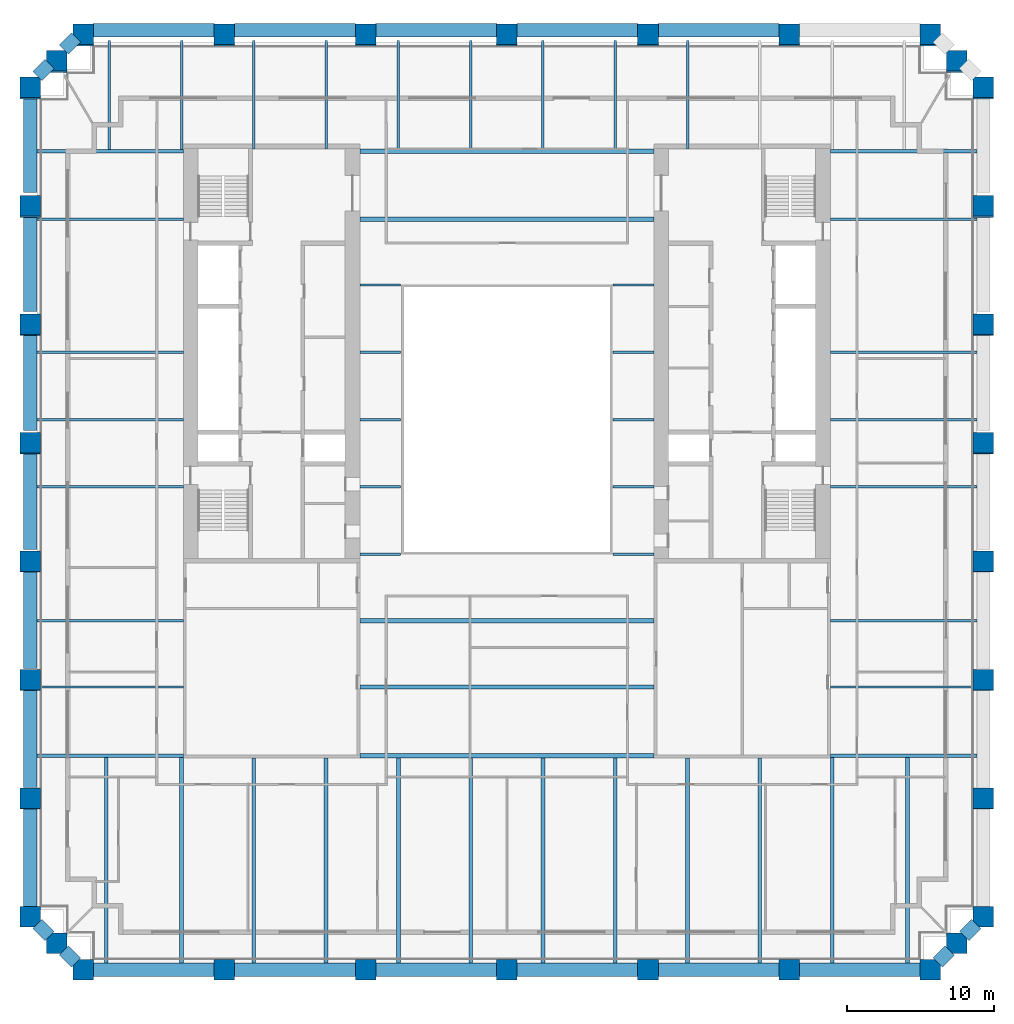
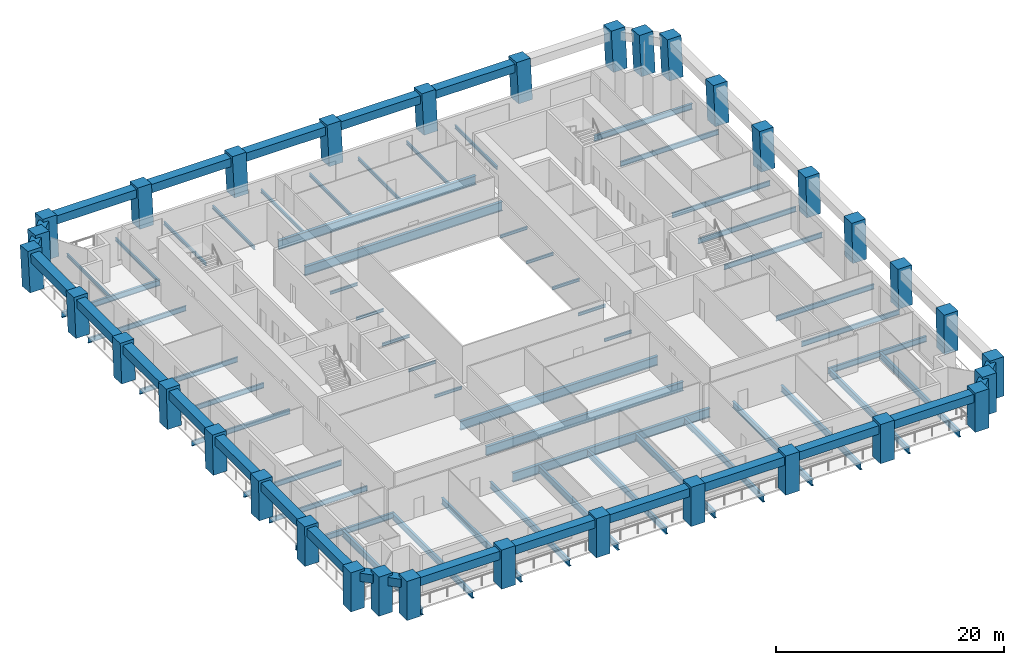
# One storey, part 1 of 10: 76 beams, 34 columns.
"""IFC4 building model written with IfcOpenShell, lengths in metres."""

from ifc_helpers import new_model, si_unit, direction, frame, origin, origin_2d, place, context, subcontext, project, spatial, rectangle, i_section, extrude, material, material_profile, profile_set, type_object, element, save


model = new_model("IFC4")

# Units and contexts
model_context = context("Model", 3, precision=1e-05, world=origin(), true_north=direction((0.0, 1.0)))
body_context = subcontext(model_context, "Body", "Model", "MODEL_VIEW")
ifc_project = project(units=[si_unit("LENGTHUNIT", "METRE"), si_unit("AREAUNIT", "SQUARE_METRE"), si_unit("VOLUMEUNIT", "CUBIC_METRE"), si_unit("PLANEANGLEUNIT", "RADIAN"), si_unit("MASSUNIT", "GRAM", prefix="KILO")], contexts=[model_context])

# Site, building, storey
site_placement = place(None, origin())
site = spatial("IfcSite", under=ifc_project, at=site_placement, CompositionType="ELEMENT")
building_placement = place(site_placement, origin())
building = spatial("IfcBuilding", under=site, at=building_placement, Name="Ogive Exchange Tower", CompositionType="ELEMENT")
storey_placement = place(building_placement, frame((0.0, 0.0, 52.199951171875)))
storey = spatial("IfcBuildingStorey", under=building, at=storey_placement, Name="L10", CompositionType="ELEMENT", Elevation=52.199951171875)

# Columns
ifc_material_1 = material(Name="Precast concrete C70/85 (limestone faced)", Category="masonry")
ifc_material_profile_1 = material_profile(ifc_material_1, rectangle(XDim=1.39990234375, YDim=1.39990234375, at=origin_2d()), Name="1400 x 1400")
ifc_profile_set_1 = profile_set([ifc_material_profile_1], Name="Precast concrete C70/85 (limestone faced)")
column_type = type_object("IfcColumnType", Name="Precast exoskeleton leg 1400 x 1400 C70/85", PredefinedType="COLUMN", material=ifc_profile_set_1)
for number, where, z_axis, x_axis, name in (
    (1, (-28.800048828125, -30.39990234375, 0.0), (0.0, 0.0, 1.0), (1.0, 0.0, 0.0), "Exoskeleton leg 1"),
    (2, (-19.199951171875, -30.39990234375, 0.0), (0.0, 0.0, 1.0), (1.0, 0.0, 0.0), "Exoskeleton leg 2"),
    (3, (-9.60009765625, -30.39990234375, 0.0), (0.0, 0.0, 1.0), (1.0, 0.0, 0.0), "Exoskeleton leg 3"),
    (4, (0.0, -30.39990234375, 0.0), (0.0, 0.0, 1.0), (1.0, 0.0, 0.0), "Exoskeleton leg 4"),
    (5, (9.60009765625, -30.39990234375, 0.0), (0.0, 0.0, 1.0), (1.0, 0.0, 0.0), "Exoskeleton leg 5"),
    (6, (19.199951171875, -30.39990234375, 0.0), (0.0, 0.0, 1.0), (1.0, 0.0, 0.0), "Exoskeleton leg 6"),
    (7, (28.800048828125, -30.39990234375, 0.0), (0.0, 0.0, 1.0), (1.0, 0.0, 0.0), "Exoskeleton leg 7"),
    (8, (32.39990234375, -26.800048828125, 0.0), (0.0, 0.0, 1.0), (1.0, 0.0, 0.0), "Exoskeleton leg 8"),
):
    element("IfcColumn", number, at=place(storey_placement, frame(where, z_axis=z_axis, x_axis=x_axis)), inside=storey, type_object=column_type, Name=name, PredefinedType="COLUMN", context=body_context, shape_type="SweptSolid", body=[
        extrude(rectangle(XDim=1.39990234375, YDim=1.39990234375, at=origin_2d()), origin(), (0.0, 0.0, 1.0), 4.199951171875),
    ])
column_1_placement = place(storey_placement, frame((32.39990234375, -18.75830078125, 0.0), z_axis=(0.0, 0.012961766342, 0.999915992778), x_axis=(-1.0, 0.0, 0.0)))
element("IfcColumn", 9, at=column_1_placement, inside=storey, type_object=column_type, Name="Exoskeleton leg 9", PredefinedType="COLUMN", context=body_context, shape_type="SweptSolid", body=[
    extrude(rectangle(XDim=1.39990234375, YDim=1.39990234375, at=origin_2d()), origin(), (0.0, 0.0, 1.0), 4.2001953125),
])
column_2_placement = place(storey_placement, frame((32.39990234375, -10.716796875, 0.0), z_axis=(0.0, 0.025917002136, 0.999664098085), x_axis=(-1.0, 0.0, 0.0)))
element("IfcColumn", 10, at=column_2_placement, inside=storey, type_object=column_type, Name="Exoskeleton leg 10", PredefinedType="COLUMN", context=body_context, shape_type="SweptSolid", body=[
    extrude(rectangle(XDim=1.39990234375, YDim=1.39990234375, at=origin_2d()), origin(), (0.0, 0.0, 1.0), 4.201416015625),
])
column_3_placement = place(storey_placement, frame((32.39990234375, -2.67529296875, 0.0), z_axis=(0.0, 0.038917190853, 0.999242439179), x_axis=(-1.0, 0.0, 0.0)))
element("IfcColumn", 11, at=column_3_placement, inside=storey, type_object=column_type, Name="Exoskeleton leg 11", PredefinedType="COLUMN", context=body_context, shape_type="SweptSolid", body=[
    extrude(rectangle(XDim=1.39990234375, YDim=1.39990234375, at=origin_2d()), origin(), (0.0, 0.0, 1.0), 4.203125),
])
column_4_placement = place(storey_placement, frame((32.39990234375, 5.3662109375, 0.0), z_axis=(0.0, 0.051897648879, 0.99865240902), x_axis=(-1.0, 0.0, 0.0)))
element("IfcColumn", 12, at=column_4_placement, inside=storey, type_object=column_type, Name="Exoskeleton leg 12", PredefinedType="COLUMN", context=body_context, shape_type="SweptSolid", body=[
    extrude(rectangle(XDim=1.39990234375, YDim=1.39990234375, at=origin_2d()), origin(), (0.0, 0.0, 1.0), 4.20556640625),
])
column_5_placement = place(storey_placement, frame((32.39990234375, 13.40771484375, 0.0), z_axis=(0.0, 0.064794093908, 0.997898654872), x_axis=(-1.0, 0.0, 0.0)))
element("IfcColumn", 13, at=column_5_placement, inside=storey, type_object=column_type, Name="Exoskeleton leg 13", PredefinedType="COLUMN", context=body_context, shape_type="SweptSolid", body=[
    extrude(rectangle(XDim=1.39990234375, YDim=1.39990234375, at=origin_2d()), origin(), (0.0, 0.0, 1.0), 4.208740234375),
])
column_6_placement = place(storey_placement, frame((32.39990234375, 21.449462890625, 0.0), z_axis=(0.0, 0.077658156178, 0.996980045326), x_axis=(-1.0, 0.0, 0.0)))
element("IfcColumn", 14, at=column_6_placement, inside=storey, type_object=column_type, Name="Exoskeleton leg 14", PredefinedType="COLUMN", context=body_context, shape_type="SweptSolid", body=[
    extrude(rectangle(XDim=1.39990234375, YDim=1.39990234375, at=origin_2d()), origin(), (0.0, 0.0, 1.0), 4.212646484375),
])
for number, where, z_axis, x_axis, name in (
    (15, (32.39990234375, 29.490966796875, 0.0), (0.0, 0.090540965689, 0.995892731941), (-1.0, 0.0, 0.0), "Exoskeleton leg 15"),
    (16, (28.800048828125, 33.0908203125, 0.0), (0.0, 0.090540965689, 0.995892731941), (-1.0, 0.0, 0.0), "Exoskeleton leg 16"),
    (17, (19.199951171875, 33.0908203125, 0.0), (0.0, 0.090540965689, 0.995892731941), (-1.0, 0.0, 0.0), "Exoskeleton leg 17"),
    (18, (9.60009765625, 33.0908203125, 0.0), (0.0, 0.090540965689, 0.995892731941), (-1.0, 0.0, 0.0), "Exoskeleton leg 18"),
    (19, (0.0, 33.0908203125, 0.0), (0.0, 0.090540965689, 0.995892731941), (-1.0, 0.0, 0.0), "Exoskeleton leg 19"),
    (20, (-9.60009765625, 33.0908203125, 0.0), (0.0, 0.090540965689, 0.995892731941), (-1.0, 0.0, 0.0), "Exoskeleton leg 20"),
    (21, (-19.199951171875, 33.0908203125, 0.0), (0.0, 0.090540965689, 0.995892731941), (-1.0, 0.0, 0.0), "Exoskeleton leg 21"),
    (22, (-28.800048828125, 33.0908203125, 0.0), (0.0, 0.090540965689, 0.995892731941), (-1.0, 0.0, 0.0), "Exoskeleton leg 22"),
    (23, (-32.39990234375, 29.490966796875, 0.0), (0.0, 0.090540965689, 0.995892731941), (-1.0, 0.0, 0.0), "Exoskeleton leg 23"),
):
    element("IfcColumn", number, at=place(storey_placement, frame(where, z_axis=z_axis, x_axis=x_axis)), inside=storey, type_object=column_type, Name=name, PredefinedType="COLUMN", context=body_context, shape_type="SweptSolid", body=[
        extrude(rectangle(XDim=1.39990234375, YDim=1.39990234375, at=origin_2d()), origin(), (0.0, 0.0, 1.0), 4.21728515625),
    ])
column_7_placement = place(storey_placement, frame((-32.39990234375, 21.449462890625, 0.0), z_axis=(0.0, 0.077658156178, 0.996980045326), x_axis=(-1.0, 0.0, 0.0)))
element("IfcColumn", 24, at=column_7_placement, inside=storey, type_object=column_type, Name="Exoskeleton leg 24", PredefinedType="COLUMN", context=body_context, shape_type="SweptSolid", body=[
    extrude(rectangle(XDim=1.39990234375, YDim=1.39990234375, at=origin_2d()), origin(), (0.0, 0.0, 1.0), 4.212646484375),
])
column_8_placement = place(storey_placement, frame((-32.39990234375, 13.40771484375, 0.0), z_axis=(0.0, 0.064794093908, 0.997898654872), x_axis=(-1.0, 0.0, 0.0)))
element("IfcColumn", 25, at=column_8_placement, inside=storey, type_object=column_type, Name="Exoskeleton leg 25", PredefinedType="COLUMN", context=body_context, shape_type="SweptSolid", body=[
    extrude(rectangle(XDim=1.39990234375, YDim=1.39990234375, at=origin_2d()), origin(), (0.0, 0.0, 1.0), 4.208740234375),
])
column_9_placement = place(storey_placement, frame((-32.39990234375, 5.3662109375, 0.0), z_axis=(0.0, 0.051897648879, 0.99865240902), x_axis=(-1.0, 0.0, 0.0)))
element("IfcColumn", 26, at=column_9_placement, inside=storey, type_object=column_type, Name="Exoskeleton leg 26", PredefinedType="COLUMN", context=body_context, shape_type="SweptSolid", body=[
    extrude(rectangle(XDim=1.39990234375, YDim=1.39990234375, at=origin_2d()), origin(), (0.0, 0.0, 1.0), 4.20556640625),
])
column_10_placement = place(storey_placement, frame((-32.39990234375, -2.67529296875, 0.0), z_axis=(0.0, 0.038917190853, 0.999242439179), x_axis=(-1.0, 0.0, 0.0)))
element("IfcColumn", 27, at=column_10_placement, inside=storey, type_object=column_type, Name="Exoskeleton leg 27", PredefinedType="COLUMN", context=body_context, shape_type="SweptSolid", body=[
    extrude(rectangle(XDim=1.39990234375, YDim=1.39990234375, at=origin_2d()), origin(), (0.0, 0.0, 1.0), 4.203125),
])
column_11_placement = place(storey_placement, frame((-32.39990234375, -10.716796875, 0.0), z_axis=(0.0, 0.025917002136, 0.999664098085), x_axis=(-1.0, 0.0, 0.0)))
element("IfcColumn", 28, at=column_11_placement, inside=storey, type_object=column_type, Name="Exoskeleton leg 28", PredefinedType="COLUMN", context=body_context, shape_type="SweptSolid", body=[
    extrude(rectangle(XDim=1.39990234375, YDim=1.39990234375, at=origin_2d()), origin(), (0.0, 0.0, 1.0), 4.201416015625),
])
column_12_placement = place(storey_placement, frame((-32.39990234375, -18.75830078125, 0.0), z_axis=(0.0, 0.012961766342, 0.999915992778), x_axis=(-1.0, 0.0, 0.0)))
element("IfcColumn", 29, at=column_12_placement, inside=storey, type_object=column_type, Name="Exoskeleton leg 29", PredefinedType="COLUMN", context=body_context, shape_type="SweptSolid", body=[
    extrude(rectangle(XDim=1.39990234375, YDim=1.39990234375, at=origin_2d()), origin(), (0.0, 0.0, 1.0), 4.2001953125),
])
for number, where, z_axis, x_axis, name in (
    (30, (-32.39990234375, -26.800048828125, 0.0), (0.0, 0.0, 1.0), (1.0, 0.0, 0.0), "Exoskeleton leg 30"),
    (31, (30.60009765625, -28.60009765625, 0.0), (0.0, 0.0, 1.0), (1.0, 0.0, 0.0), "Exoskeleton leg 31"),
):
    element("IfcColumn", number, at=place(storey_placement, frame(where, z_axis=z_axis, x_axis=x_axis)), inside=storey, type_object=column_type, Name=name, PredefinedType="COLUMN", context=body_context, shape_type="SweptSolid", body=[
        extrude(rectangle(XDim=1.39990234375, YDim=1.39990234375, at=origin_2d()), origin(), (0.0, 0.0, 1.0), 4.199951171875),
    ])
for number, where, z_axis, x_axis, name in (
    (32, (30.60009765625, 31.291015625, 0.0), (0.0, 0.090483549163, 0.995897950259), (-1.0, 0.0, 0.0), "Exoskeleton leg 32"),
    (33, (-30.60009765625, 31.291015625, 0.0), (0.0, 0.090483549163, 0.995897950259), (-1.0, 0.0, 0.0), "Exoskeleton leg 33"),
):
    element("IfcColumn", number, at=place(storey_placement, frame(where, z_axis=z_axis, x_axis=x_axis)), inside=storey, type_object=column_type, Name=name, PredefinedType="COLUMN", context=body_context, shape_type="SweptSolid", body=[
        extrude(rectangle(XDim=1.39990234375, YDim=1.39990234375, at=origin_2d()), origin(), (0.0, 0.0, 1.0), 4.21728515625),
    ])
column_13_placement = place(storey_placement, frame((-30.60009765625, -28.60009765625, 0.0), z_axis=(0.0, 0.0, 1.0), x_axis=(1.0, 0.0, 0.0)))
element("IfcColumn", 34, at=column_13_placement, inside=storey, type_object=column_type, Name="Exoskeleton leg 34", PredefinedType="COLUMN", context=body_context, shape_type="SweptSolid", body=[
    extrude(rectangle(XDim=1.39990234375, YDim=1.39990234375, at=origin_2d()), origin(), (0.0, 0.0, 1.0), 4.199951171875),
])

# Beams
ifc_material_2 = material(Name="Steel ASTM A992 Gr50", Category="steel")
ifc_material_profile_2 = material_profile(ifc_material_2, i_section(OverallWidth=0.300048828125, OverallDepth=0.969970703125, WebThickness=0.01611328125, FlangeThickness=0.02099609375, at=origin_2d()), Name="W1000x222")
ifc_profile_set_2 = profile_set([ifc_material_profile_2], Name="Steel ASTM A992 Gr50")
beam_type_1 = type_object("IfcBeamType", Name="Floor beam W1000x222", PredefinedType="JOIST", material=ifc_profile_set_2)
for number, where, z_axis, x_axis, name in (
    (35, (-10.0, -11.17822265625, -0.68505859375), (1.0, 0.0, 0.0), (0.0, 1.0, 0.0), "Floor beam"),
    (36, (-10.0, -6.666748046875, -0.68505859375), (1.0, 0.0, 0.0), (0.0, 1.0, 0.0), "Floor beam"),
    (37, (-10.0, 20.62255859375, -0.68505859375), (1.0, 0.0, 0.0), (0.0, 1.0, 0.0), "Floor beam"),
):
    element("IfcBeam", number, at=place(storey_placement, frame(where, z_axis=z_axis, x_axis=x_axis)), inside=storey, type_object=beam_type_1, Name=name, PredefinedType="JOIST", context=body_context, shape_type="SweptSolid", body=[
        extrude(i_section(OverallWidth=0.300048828125, OverallDepth=0.969970703125, WebThickness=0.01611328125, FlangeThickness=0.02099609375, at=origin_2d()), origin(), (0.0, 0.0, 1.0), 20.0),
    ])
ifc_material_profile_3 = material_profile(ifc_material_2, i_section(OverallWidth=0.1650390625, OverallDepth=0.31005859375, WebThickness=0.005859375, FlangeThickness=0.009765625, at=origin_2d()), Name="W310x38.7")
ifc_profile_set_3 = profile_set([ifc_material_profile_3], Name="Steel ASTM A992 Gr50")
beam_type_2 = type_object("IfcBeamType", Name="Floor beam W310x38.7", PredefinedType="JOIST", material=ifc_profile_set_3)
for number, where, z_axis, x_axis, name in (
    (38, (-10.0, 2.422607421875, -0.35498046875), (1.0, 0.0, 0.0), (0.0, 1.0, 0.0), "Floor beam"),
    (39, (7.219970703125, 2.422607421875, -0.35498046875), (1.0, 0.0, 0.0), (0.0, 1.0, 0.0), "Floor beam"),
    (40, (-10.0, 7.0, -0.35498046875), (1.0, 0.0, 0.0), (0.0, 1.0, 0.0), "Floor beam"),
    (41, (7.219970703125, 7.0, -0.35498046875), (1.0, 0.0, 0.0), (0.0, 1.0, 0.0), "Floor beam"),
    (42, (-10.0, 11.577392578125, -0.35498046875), (1.0, 0.0, 0.0), (0.0, 1.0, 0.0), "Floor beam"),
    (43, (7.219970703125, 11.577392578125, -0.35498046875), (1.0, 0.0, 0.0), (0.0, 1.0, 0.0), "Floor beam"),
):
    element("IfcBeam", number, at=place(storey_placement, frame(where, z_axis=z_axis, x_axis=x_axis)), inside=storey, type_object=beam_type_2, Name=name, PredefinedType="JOIST", context=body_context, shape_type="SweptSolid", body=[
        extrude(i_section(OverallWidth=0.1650390625, OverallDepth=0.31005859375, WebThickness=0.005859375, FlangeThickness=0.009765625, at=origin_2d()), origin(), (0.0, 0.0, 1.0), 2.780029296875),
    ])
ifc_material_profile_4 = material_profile(ifc_material_2, i_section(OverallWidth=0.1708984375, OverallDepth=0.35595703125, WebThickness=0.00732421875, FlangeThickness=0.01171875, at=origin_2d()), Name="W360x51")
ifc_profile_set_4 = profile_set([ifc_material_profile_4], Name="Steel ASTM A992 Gr50")
beam_type_3 = type_object("IfcBeamType", Name="Floor beam W360x51", PredefinedType="JOIST", material=ifc_profile_set_4)
for number, where, z_axis, x_axis, name in (
    (44, (-27.03466796875, 25.35888671875, -0.3779296875), (0.0, 1.0, 0.0), (-1.0, 0.0, 0.0), "Floor beam"),
    (45, (-22.119140625, 25.35888671875, -0.3779296875), (0.0, 1.0, 0.0), (-1.0, 0.0, 0.0), "Floor beam"),
):
    element("IfcBeam", number, at=place(storey_placement, frame(where, z_axis=z_axis, x_axis=x_axis)), inside=storey, type_object=beam_type_3, Name=name, PredefinedType="JOIST", context=body_context, shape_type="SweptSolid", body=[
        extrude(i_section(OverallWidth=0.1708984375, OverallDepth=0.35595703125, WebThickness=0.00732421875, FlangeThickness=0.01171875, at=origin_2d()), origin(), (0.0, 0.0, 1.0), 7.43212890625),
    ])
for number, where, z_axis, x_axis, name in (
    (46, (-17.203857421875, 25.39990234375, -0.3779296875), (0.0, 1.0, 0.0), (-1.0, 0.0, 0.0), "Floor beam"),
    (47, (-12.28857421875, 25.39990234375, -0.3779296875), (0.0, 1.0, 0.0), (-1.0, 0.0, 0.0), "Floor beam"),
):
    element("IfcBeam", number, at=place(storey_placement, frame(where, z_axis=z_axis, x_axis=x_axis)), inside=storey, type_object=beam_type_3, Name=name, PredefinedType="JOIST", context=body_context, shape_type="SweptSolid", body=[
        extrude(i_section(OverallWidth=0.1708984375, OverallDepth=0.35595703125, WebThickness=0.00732421875, FlangeThickness=0.01171875, at=origin_2d()), origin(), (0.0, 0.0, 1.0), 7.39111328125),
    ])
for number, where, z_axis, x_axis, name in (
    (48, (-7.373046875, 25.39501953125, -0.3779296875), (0.0, 1.0, 0.0), (-1.0, 0.0, 0.0), "Floor beam"),
    (49, (-2.457763671875, 25.39501953125, -0.3779296875), (0.0, 1.0, 0.0), (-1.0, 0.0, 0.0), "Floor beam"),
    (50, (2.457763671875, 25.39501953125, -0.3779296875), (0.0, 1.0, 0.0), (-1.0, 0.0, 0.0), "Floor beam"),
    (51, (7.373046875, 25.39501953125, -0.3779296875), (0.0, 1.0, 0.0), (-1.0, 0.0, 0.0), "Floor beam"),
):
    element("IfcBeam", number, at=place(storey_placement, frame(where, z_axis=z_axis, x_axis=x_axis)), inside=storey, type_object=beam_type_3, Name=name, PredefinedType="JOIST", context=body_context, shape_type="SweptSolid", body=[
        extrude(i_section(OverallWidth=0.1708984375, OverallDepth=0.35595703125, WebThickness=0.00732421875, FlangeThickness=0.01171875, at=origin_2d()), origin(), (0.0, 0.0, 1.0), 7.39599609375),
    ])
beam_1_placement = place(storey_placement, frame((12.28857421875, 25.39990234375, -0.3779296875), z_axis=(0.0, 1.0, 0.0), x_axis=(-1.0, 0.0, 0.0)))
element("IfcBeam", 52, at=beam_1_placement, inside=storey, type_object=beam_type_3, Name="Floor beam", PredefinedType="JOIST", context=body_context, shape_type="SweptSolid", body=[
    extrude(i_section(OverallWidth=0.1708984375, OverallDepth=0.35595703125, WebThickness=0.00732421875, FlangeThickness=0.01171875, at=origin_2d()), origin(), (0.0, 0.0, 1.0), 7.39111328125),
])
ifc_material_profile_5 = material_profile(ifc_material_2, i_section(OverallWidth=0.1669921875, OverallDepth=0.535888671875, WebThickness=0.01025390625, FlangeThickness=0.0166015625, at=origin_2d()), Name="W530x85")
ifc_profile_set_5 = profile_set([ifc_material_profile_5], Name="Steel ASTM A992 Gr50")
beam_type_4 = type_object("IfcBeamType", Name="Floor beam W530x85", PredefinedType="JOIST", material=ifc_profile_set_5)
for number, where, z_axis, x_axis, name in (
    (53, (-31.949951171875, -11.17822265625, -0.468017578125), (1.0, 0.0, 0.0), (0.0, 1.0, 0.0), "Floor beam"),
    (54, (22.0, -11.17822265625, -0.468017578125), (1.0, 0.0, 0.0), (0.0, 1.0, 0.0), "Floor beam"),
    (55, (-31.949951171875, -6.666748046875, -0.468017578125), (1.0, 0.0, 0.0), (0.0, 1.0, 0.0), "Floor beam"),
    (56, (22.0, -6.666748046875, -0.468017578125), (1.0, 0.0, 0.0), (0.0, 1.0, 0.0), "Floor beam"),
    (57, (-31.949951171875, 2.422607421875, -0.468017578125), (1.0, 0.0, 0.0), (0.0, 1.0, 0.0), "Floor beam"),
    (58, (22.0, 2.422607421875, -0.468017578125), (1.0, 0.0, 0.0), (0.0, 1.0, 0.0), "Floor beam"),
    (59, (-31.949951171875, 7.0, -0.468017578125), (1.0, 0.0, 0.0), (0.0, 1.0, 0.0), "Floor beam"),
    (60, (22.0, 7.0, -0.468017578125), (1.0, 0.0, 0.0), (0.0, 1.0, 0.0), "Floor beam"),
    (61, (-31.949951171875, 11.577392578125, -0.468017578125), (1.0, 0.0, 0.0), (0.0, 1.0, 0.0), "Floor beam"),
    (62, (22.0, 11.577392578125, -0.468017578125), (1.0, 0.0, 0.0), (0.0, 1.0, 0.0), "Floor beam"),
    (63, (-31.949951171875, 20.62255859375, -0.468017578125), (1.0, 0.0, 0.0), (0.0, 1.0, 0.0), "Floor beam"),
    (64, (22.0, 20.62255859375, -0.468017578125), (1.0, 0.0, 0.0), (0.0, 1.0, 0.0), "Floor beam"),
):
    element("IfcBeam", number, at=place(storey_placement, frame(where, z_axis=z_axis, x_axis=x_axis)), inside=storey, type_object=beam_type_4, Name=name, PredefinedType="JOIST", context=body_context, shape_type="SweptSolid", body=[
        extrude(i_section(OverallWidth=0.1669921875, OverallDepth=0.535888671875, WebThickness=0.01025390625, FlangeThickness=0.0166015625, at=origin_2d()), origin(), (0.0, 0.0, 1.0), 9.949951171875),
    ])
ifc_material_profile_6 = material_profile(ifc_material_2, i_section(OverallWidth=0.25390625, OverallDepth=0.677978515625, WebThickness=0.01171875, FlangeThickness=0.016357421875, at=origin_2d()), Name="W690x125")
ifc_profile_set_6 = profile_set([ifc_material_profile_6], Name="Steel ASTM A992 Gr50")
beam_type_5 = type_object("IfcBeamType", Name="Floor beam W690x125", PredefinedType="JOIST", material=ifc_profile_set_6)
for number, where, z_axis, x_axis, name in (
    (65, (-27.234619140625, -29.949951171875, -0.5390625), (0.0, 1.0, 0.0), (-1.0, 0.0, 0.0), "Floor beam"),
    (66, (-22.119140625, -29.949951171875, -0.5390625), (0.0, 1.0, 0.0), (-1.0, 0.0, 0.0), "Floor beam"),
):
    element("IfcBeam", number, at=place(storey_placement, frame(where, z_axis=z_axis, x_axis=x_axis)), inside=storey, type_object=beam_type_5, Name=name, PredefinedType="JOIST", context=body_context, shape_type="SweptSolid", body=[
        extrude(i_section(OverallWidth=0.25390625, OverallDepth=0.677978515625, WebThickness=0.01171875, FlangeThickness=0.016357421875, at=origin_2d()), origin(), (0.0, 0.0, 1.0), 13.990966796875),
    ])
for number, where, z_axis, x_axis, name in (
    (67, (-17.203857421875, -29.949951171875, -0.5390625), (0.0, 1.0, 0.0), (-1.0, 0.0, 0.0), "Floor beam"),
    (68, (-12.28857421875, -29.949951171875, -0.5390625), (0.0, 1.0, 0.0), (-1.0, 0.0, 0.0), "Floor beam"),
):
    element("IfcBeam", number, at=place(storey_placement, frame(where, z_axis=z_axis, x_axis=x_axis)), inside=storey, type_object=beam_type_5, Name=name, PredefinedType="JOIST", context=body_context, shape_type="SweptSolid", body=[
        extrude(i_section(OverallWidth=0.25390625, OverallDepth=0.677978515625, WebThickness=0.01171875, FlangeThickness=0.016357421875, at=origin_2d()), origin(), (0.0, 0.0, 1.0), 13.949951171875),
    ])
for number, where, z_axis, x_axis, name in (
    (69, (-7.373046875, -29.949951171875, -0.5390625), (0.0, 1.0, 0.0), (-1.0, 0.0, 0.0), "Floor beam"),
    (70, (-2.457763671875, -29.949951171875, -0.5390625), (0.0, 1.0, 0.0), (-1.0, 0.0, 0.0), "Floor beam"),
    (71, (2.457763671875, -29.949951171875, -0.5390625), (0.0, 1.0, 0.0), (-1.0, 0.0, 0.0), "Floor beam"),
    (72, (7.373046875, -29.949951171875, -0.5390625), (0.0, 1.0, 0.0), (-1.0, 0.0, 0.0), "Floor beam"),
):
    element("IfcBeam", number, at=place(storey_placement, frame(where, z_axis=z_axis, x_axis=x_axis)), inside=storey, type_object=beam_type_5, Name=name, PredefinedType="JOIST", context=body_context, shape_type="SweptSolid", body=[
        extrude(i_section(OverallWidth=0.25390625, OverallDepth=0.677978515625, WebThickness=0.01171875, FlangeThickness=0.016357421875, at=origin_2d()), origin(), (0.0, 0.0, 1.0), 13.954833984375),
    ])
for number, where, z_axis, x_axis, name in (
    (73, (12.28857421875, -29.949951171875, -0.5390625), (0.0, 1.0, 0.0), (-1.0, 0.0, 0.0), "Floor beam"),
    (74, (17.203857421875, -29.949951171875, -0.5390625), (0.0, 1.0, 0.0), (-1.0, 0.0, 0.0), "Floor beam"),
):
    element("IfcBeam", number, at=place(storey_placement, frame(where, z_axis=z_axis, x_axis=x_axis)), inside=storey, type_object=beam_type_5, Name=name, PredefinedType="JOIST", context=body_context, shape_type="SweptSolid", body=[
        extrude(i_section(OverallWidth=0.25390625, OverallDepth=0.677978515625, WebThickness=0.01171875, FlangeThickness=0.016357421875, at=origin_2d()), origin(), (0.0, 0.0, 1.0), 13.949951171875),
    ])
for number, where, z_axis, x_axis, name in (
    (75, (22.119140625, -29.949951171875, -0.5390625), (0.0, 1.0, 0.0), (-1.0, 0.0, 0.0), "Floor beam"),
    (76, (27.234619140625, -29.949951171875, -0.5390625), (0.0, 1.0, 0.0), (-1.0, 0.0, 0.0), "Floor beam"),
):
    element("IfcBeam", number, at=place(storey_placement, frame(where, z_axis=z_axis, x_axis=x_axis)), inside=storey, type_object=beam_type_5, Name=name, PredefinedType="JOIST", context=body_context, shape_type="SweptSolid", body=[
        extrude(i_section(OverallWidth=0.25390625, OverallDepth=0.677978515625, WebThickness=0.01171875, FlangeThickness=0.016357421875, at=origin_2d()), origin(), (0.0, 0.0, 1.0), 13.990966796875),
    ])
ifc_material_profile_7 = material_profile(ifc_material_2, i_section(OverallWidth=0.300048828125, OverallDepth=0.97998046875, WebThickness=0.0166015625, FlangeThickness=0.026123046875, at=origin_2d()), Name="W1000x249")
ifc_profile_set_7 = profile_set([ifc_material_profile_7], Name="Steel ASTM A992 Gr50")
beam_type_6 = type_object("IfcBeamType", Name="Girder W1000x249", PredefinedType="BEAM", material=ifc_profile_set_7)
for number, where, z_axis, x_axis, name in (
    (77, (-10.0, -15.844970703125, -0.68994140625), (1.0, 0.0, 0.0), (0.0, 1.0, 0.0), "Header girder"),
    (78, (-10.0, 25.2451171875, -0.68994140625), (1.0, 0.0, 0.0), (0.0, 1.0, 0.0), "Header girder"),
):
    element("IfcBeam", number, at=place(storey_placement, frame(where, z_axis=z_axis, x_axis=x_axis)), inside=storey, type_object=beam_type_6, Name=name, PredefinedType="BEAM", context=body_context, shape_type="SweptSolid", body=[
        extrude(i_section(OverallWidth=0.300048828125, OverallDepth=0.97998046875, WebThickness=0.0166015625, FlangeThickness=0.026123046875, at=origin_2d()), origin(), (0.0, 0.0, 1.0), 20.0),
    ])
ifc_material_profile_8 = material_profile(ifc_material_2, i_section(OverallWidth=0.1650390625, OverallDepth=0.31005859375, WebThickness=0.005859375, FlangeThickness=0.009765625, at=origin_2d()), Name="W310x38.7")
ifc_profile_set_8 = profile_set([ifc_material_profile_8], Name="Steel ASTM A992 Gr50")
beam_type_7 = type_object("IfcBeamType", Name="Girder W310x38.7", PredefinedType="BEAM", material=ifc_profile_set_8)
for number, where, z_axis, x_axis, name in (
    (79, (-10.0, -2.155029296875, -0.35498046875), (1.0, 0.0, 0.0), (0.0, 1.0, 0.0), "Trimmer girder"),
    (80, (7.219970703125, -2.155029296875, -0.35498046875), (1.0, 0.0, 0.0), (0.0, 1.0, 0.0), "Trimmer girder"),
    (81, (-10.0, 16.155029296875, -0.35498046875), (1.0, 0.0, 0.0), (0.0, 1.0, 0.0), "Trimmer girder"),
    (82, (7.219970703125, 16.155029296875, -0.35498046875), (1.0, 0.0, 0.0), (0.0, 1.0, 0.0), "Trimmer girder"),
):
    element("IfcBeam", number, at=place(storey_placement, frame(where, z_axis=z_axis, x_axis=x_axis)), inside=storey, type_object=beam_type_7, Name=name, PredefinedType="BEAM", context=body_context, shape_type="SweptSolid", body=[
        extrude(i_section(OverallWidth=0.1650390625, OverallDepth=0.31005859375, WebThickness=0.005859375, FlangeThickness=0.009765625, at=origin_2d()), origin(), (0.0, 0.0, 1.0), 2.780029296875),
    ])
ifc_material_profile_9 = material_profile(ifc_material_2, i_section(OverallWidth=0.22802734375, OverallDepth=0.60205078125, WebThickness=0.010498046875, FlangeThickness=0.014892578125, at=origin_2d()), Name="W610x101")
ifc_profile_set_9 = profile_set([ifc_material_profile_9], Name="Steel ASTM A992 Gr50")
beam_type_8 = type_object("IfcBeamType", Name="Girder W610x101", PredefinedType="BEAM", material=ifc_profile_set_9)
for number, where, z_axis, x_axis, name in (
    (83, (-31.949951171875, -15.844970703125, -0.5009765625), (1.0, 0.0, 0.0), (0.0, 1.0, 0.0), "Header girder"),
    (84, (22.0, -15.844970703125, -0.5009765625), (1.0, 0.0, 0.0), (0.0, 1.0, 0.0), "Header girder"),
    (85, (-31.949951171875, 25.2451171875, -0.5009765625), (1.0, 0.0, 0.0), (0.0, 1.0, 0.0), "Header girder"),
    (86, (22.0, 25.2451171875, -0.5009765625), (1.0, 0.0, 0.0), (0.0, 1.0, 0.0), "Header girder"),
):
    element("IfcBeam", number, at=place(storey_placement, frame(where, z_axis=z_axis, x_axis=x_axis)), inside=storey, type_object=beam_type_8, Name=name, PredefinedType="BEAM", context=body_context, shape_type="SweptSolid", body=[
        extrude(i_section(OverallWidth=0.22802734375, OverallDepth=0.60205078125, WebThickness=0.010498046875, FlangeThickness=0.014892578125, at=origin_2d()), origin(), (0.0, 0.0, 1.0), 9.949951171875),
    ])
ifc_material_profile_10 = material_profile(ifc_material_1, rectangle(XDim=0.89990234375, YDim=0.89990234375, at=origin_2d()), Name="900 x 900")
ifc_profile_set_10 = profile_set([ifc_material_profile_10], Name="Precast concrete C70/85 (limestone faced)")
beam_type_9 = type_object("IfcBeamType", Name="Precast spandrel 900 x 900 C70/85", PredefinedType="SPANDREL", material=ifc_profile_set_10)
beam_2_placement = place(storey_placement, frame((-28.1201171875, -30.39990234375, 3.5), z_axis=(1.0, 0.0, 0.0), x_axis=(0.0, 1.0, 0.0)))
element("IfcBeam", 87, at=beam_2_placement, inside=storey, type_object=beam_type_9, Name="Spandrel 1", PredefinedType="SPANDREL", context=body_context, shape_type="SweptSolid", body=[
    extrude(rectangle(XDim=0.89990234375, YDim=0.89990234375, at=origin_2d()), origin(), (0.0, 0.0, 1.0), 8.240234375),
])
for number, where, z_axis, x_axis, name in (
    (88, (-18.52001953125, -30.39990234375, 3.5), (1.0, 0.0, 0.0), (0.0, 1.0, 0.0), "Spandrel 2"),
    (89, (-8.919921875, -30.39990234375, 3.5), (1.0, 0.0, 0.0), (0.0, 1.0, 0.0), "Spandrel 3"),
    (90, (0.679931640625, -30.39990234375, 3.5), (1.0, 0.0, 0.0), (0.0, 1.0, 0.0), "Spandrel 4"),
    (91, (10.280029296875, -30.39990234375, 3.5), (1.0, 0.0, 0.0), (0.0, 1.0, 0.0), "Spandrel 5"),
):
    element("IfcBeam", number, at=place(storey_placement, frame(where, z_axis=z_axis, x_axis=x_axis)), inside=storey, type_object=beam_type_9, Name=name, PredefinedType="SPANDREL", context=body_context, shape_type="SweptSolid", body=[
        extrude(rectangle(XDim=0.89990234375, YDim=0.89990234375, at=origin_2d()), origin(), (0.0, 0.0, 1.0), 8.239990234375),
    ])
beam_3_placement = place(storey_placement, frame((19.8798828125, -30.39990234375, 3.5), z_axis=(1.0, 0.0, 0.0), x_axis=(0.0, 1.0, 0.0)))
element("IfcBeam", 92, at=beam_3_placement, inside=storey, type_object=beam_type_9, Name="Spandrel 6", PredefinedType="SPANDREL", context=body_context, shape_type="SweptSolid", body=[
    extrude(rectangle(XDim=0.89990234375, YDim=0.89990234375, at=origin_2d()), origin(), (0.0, 0.0, 1.0), 8.240234375),
])
for number, where, z_axis, x_axis, name in (
    (93, (29.287841796875, -29.912109375, 3.5), (0.707106781187, 0.707106781187, 0.0), (-0.707106781187, 0.707106781187, 0.0), "Spandrel 7"),
    (94, (31.087890625, -28.112060546875, 3.5), (0.707106781187, 0.707106781187, 0.0), (-0.707106781187, 0.707106781187, 0.0), "Spandrel 8"),
):
    element("IfcBeam", number, at=place(storey_placement, frame(where, z_axis=z_axis, x_axis=x_axis)), inside=storey, type_object=beam_type_9, Name=name, PredefinedType="SPANDREL", context=body_context, shape_type="SweptSolid", body=[
        extrude(rectangle(XDim=0.89990234375, YDim=0.89990234375, at=origin_2d()), origin(), (0.0, 0.0, 1.0), 1.16552734375),
    ])
for number, where, z_axis, x_axis, name in (
    (95, (18.52001953125, 33.47265625, 3.5), (-1.0, 0.0, 0.0), (0.0, -1.0, 0.0), "Spandrel 19"),
    (96, (8.919921875, 33.47265625, 3.5), (-1.0, 0.0, 0.0), (0.0, -1.0, 0.0), "Spandrel 20"),
    (97, (-0.679931640625, 33.47265625, 3.5), (-1.0, 0.0, 0.0), (0.0, -1.0, 0.0), "Spandrel 21"),
    (98, (-10.280029296875, 33.47265625, 3.5), (-1.0, 0.0, 0.0), (0.0, -1.0, 0.0), "Spandrel 22"),
):
    element("IfcBeam", number, at=place(storey_placement, frame(where, z_axis=z_axis, x_axis=x_axis)), inside=storey, type_object=beam_type_9, Name=name, PredefinedType="SPANDREL", context=body_context, shape_type="SweptSolid", body=[
        extrude(rectangle(XDim=0.89990234375, YDim=0.89990234375, at=origin_2d()), origin(), (0.0, 0.0, 1.0), 8.239990234375),
    ])
beam_4_placement = place(storey_placement, frame((-19.8798828125, 33.47265625, 3.5), z_axis=(-1.0, 0.0, 0.0), x_axis=(0.0, -1.0, 0.0)))
element("IfcBeam", 99, at=beam_4_placement, inside=storey, type_object=beam_type_9, Name="Spandrel 23", PredefinedType="SPANDREL", context=body_context, shape_type="SweptSolid", body=[
    extrude(rectangle(XDim=0.89990234375, YDim=0.89990234375, at=origin_2d()), origin(), (0.0, 0.0, 1.0), 8.240234375),
])
for number, where, z_axis, x_axis, name in (
    (100, (-29.287841796875, 32.98486328125, 3.5), (-0.707106781187, -0.707106781187, 0.0), (0.707106781187, -0.707106781187, 0.0), "Spandrel 24"),
    (101, (-31.087890625, 31.184814453125, 3.5), (-0.707106781187, -0.707106781187, 0.0), (0.707106781187, -0.707106781187, 0.0), "Spandrel 25"),
):
    element("IfcBeam", number, at=place(storey_placement, frame(where, z_axis=z_axis, x_axis=x_axis)), inside=storey, type_object=beam_type_9, Name=name, PredefinedType="SPANDREL", context=body_context, shape_type="SweptSolid", body=[
        extrude(rectangle(XDim=0.89990234375, YDim=0.89990234375, at=origin_2d()), origin(), (0.0, 0.0, 1.0), 1.16552734375),
    ])
for number, where, z_axis, x_axis, name in (
    (102, (-32.39990234375, 29.192626953125, 3.5), (0.0, -1.0, 0.0), (1.0, 0.0, 0.0), "Spandrel 26"),
    (103, (-32.39990234375, 21.0966796875, 3.5), (0.0, -1.0, 0.0), (1.0, 0.0, 0.0), "Spandrel 27"),
    (104, (-32.39990234375, 13.00048828125, 3.5), (0.0, -1.0, 0.0), (1.0, 0.0, 0.0), "Spandrel 28"),
    (105, (-32.39990234375, 4.904296875, 3.5), (0.0, -1.0, 0.0), (1.0, 0.0, 0.0), "Spandrel 29"),
    (106, (-32.39990234375, -3.191650390625, 3.5), (0.0, -1.0, 0.0), (1.0, 0.0, 0.0), "Spandrel 30"),
    (107, (-32.39990234375, -11.287841796875, 3.5), (0.0, -1.0, 0.0), (1.0, 0.0, 0.0), "Spandrel 31"),
):
    element("IfcBeam", number, at=place(storey_placement, frame(where, z_axis=z_axis, x_axis=x_axis)), inside=storey, type_object=beam_type_9, Name=name, PredefinedType="SPANDREL", context=body_context, shape_type="SweptSolid", body=[
        extrude(rectangle(XDim=0.89990234375, YDim=0.89990234375, at=origin_2d()), origin(), (0.0, 0.0, 1.0), 6.736083984375),
    ])
beam_5_placement = place(storey_placement, frame((-32.39990234375, -19.3837890625, 3.5), z_axis=(0.0, -1.0, 0.0), x_axis=(1.0, 0.0, 0.0)))
element("IfcBeam", 108, at=beam_5_placement, inside=storey, type_object=beam_type_9, Name="Spandrel 32", PredefinedType="SPANDREL", context=body_context, shape_type="SweptSolid", body=[
    extrude(rectangle(XDim=0.89990234375, YDim=0.89990234375, at=origin_2d()), origin(), (0.0, 0.0, 1.0), 6.736328125),
])
for number, where, z_axis, x_axis, name in (
    (109, (-31.912109375, -27.287841796875, 3.5), (0.707106781187, -0.707106781187, 0.0), (0.707106781187, 0.707106781187, 0.0), "Spandrel 33"),
    (110, (-30.112060546875, -29.087890625, 3.5), (0.707106781187, -0.707106781187, 0.0), (0.707106781187, 0.707106781187, 0.0), "Spandrel 34"),
):
    element("IfcBeam", number, at=place(storey_placement, frame(where, z_axis=z_axis, x_axis=x_axis)), inside=storey, type_object=beam_type_9, Name=name, PredefinedType="SPANDREL", context=body_context, shape_type="SweptSolid", body=[
        extrude(rectangle(XDim=0.89990234375, YDim=0.89990234375, at=origin_2d()), origin(), (0.0, 0.0, 1.0), 1.16552734375),
    ])

save(model, "model.ifc")
